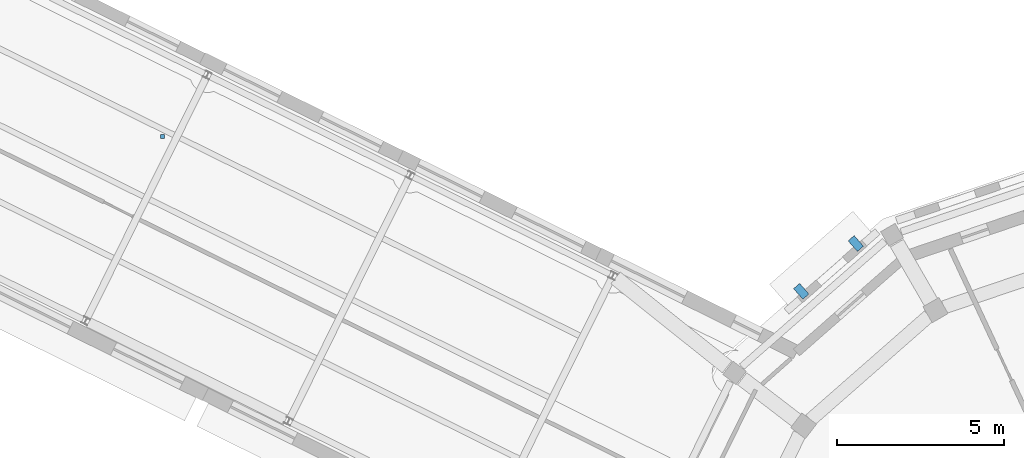
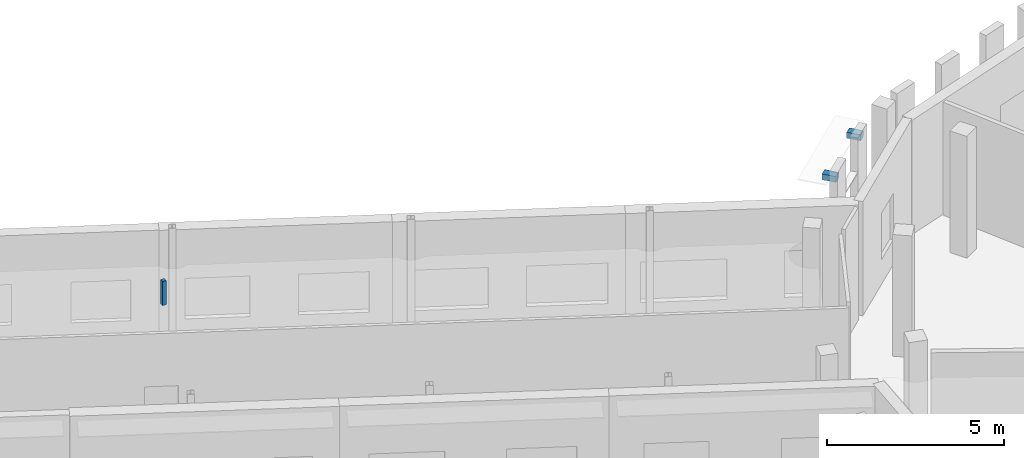
# One storey, part 84 of 90: 3 discrete accessories.
"""IFC4 building model written with IfcOpenShell, lengths in metres."""

from ifc_helpers import new_model, si_unit, direction, frame, origin, origin_2d, place, context, subcontext, project, spatial, rectangle, extrude, material, type_object, element, save


model = new_model("IFC4")

# Units and contexts
model_context = context("Model", 3, precision=1e-05, world=origin(), true_north=direction((0.0, 1.0)))
body_context = subcontext(model_context, "Body", "Model", "MODEL_VIEW")
ifc_project = project(units=[si_unit("LENGTHUNIT", "METRE"), si_unit("AREAUNIT", "SQUARE_METRE"), si_unit("VOLUMEUNIT", "CUBIC_METRE"), si_unit("PLANEANGLEUNIT", "RADIAN"), si_unit("MASSUNIT", "GRAM", prefix="KILO")], contexts=[model_context])

# Site, building, storey
site_placement = place(None, origin())
site = spatial("IfcSite", under=ifc_project, at=site_placement, CompositionType="ELEMENT")
building_placement = place(site_placement, origin())
building = spatial("IfcBuilding", under=site, at=building_placement, Name="Wrenclough Park School", CompositionType="ELEMENT")
storey_placement = place(building_placement, frame((0.0, 0.0, 8.39990234375)))
storey = spatial("IfcBuildingStorey", under=building, at=storey_placement, Name="L02", CompositionType="ELEMENT", Elevation=8.39990234375)

# Discrete accessories
ifc_material_1 = material(Name="Austenitic stainless steel Grade 1.4401", Category="steel")
discrete_accessory_type_1 = type_object("IfcDiscreteAccessoryType", Name="ENV-BRK-01", PredefinedType="BRACKET", material=ifc_material_1)
for number, where, z_axis, x_axis, name in (
    (1, (165.389892578125, 107.138916015625, 3.5400390625), (0.0, 0.0, 1.0), (-0.751840924352, -0.659344541549, 0.0), "Brise-soleil stainless outrigger bracket 0143"),
    (2, (163.759521484375, 105.709228515625, 3.5400390625), (0.0, 0.0, 1.0), (-0.751840924352, -0.659344541549, 0.0), "Brise-soleil stainless outrigger bracket 0144"),
):
    element("IfcDiscreteAccessory", number, at=place(storey_placement, frame(where, z_axis=z_axis, x_axis=x_axis)), inside=storey, type_object=discrete_accessory_type_1, Name=name, PredefinedType="BRACKET", context=body_context, shape_type="SweptSolid", body=[
        extrude(rectangle(XDim=0.239990234375, YDim=0.419921875, at=origin_2d()), origin(), (0.0, 0.0, 1.0), 0.199951171875),
    ])
ifc_material_2 = material(Name="Galvanised steel acoustic ceiling suspension hanger", Category="steel")
discrete_accessory_type_2 = type_object("IfcDiscreteAccessoryType", Name="INT-BRK-HGR", PredefinedType="BRACKET", material=ifc_material_2)
discrete_accessory_placement = place(storey_placement, frame((144.665771484375, 110.343994140625, 3.090087890625), z_axis=(0.0, 0.0, 1.0), x_axis=(1.0, 0.0, 0.0)))
element("IfcDiscreteAccessory", 3, at=discrete_accessory_placement, inside=storey, type_object=discrete_accessory_type_2, Name="Acoustic ceiling hanger bracket 0063", PredefinedType="BRACKET", context=body_context, shape_type="SweptSolid", body=[
    extrude(rectangle(XDim=0.1201171875, YDim=0.1201171875, at=origin_2d()), origin(), (0.0, 0.0, 1.0), 0.8349609375),
])

save(model, "model.ifc")
